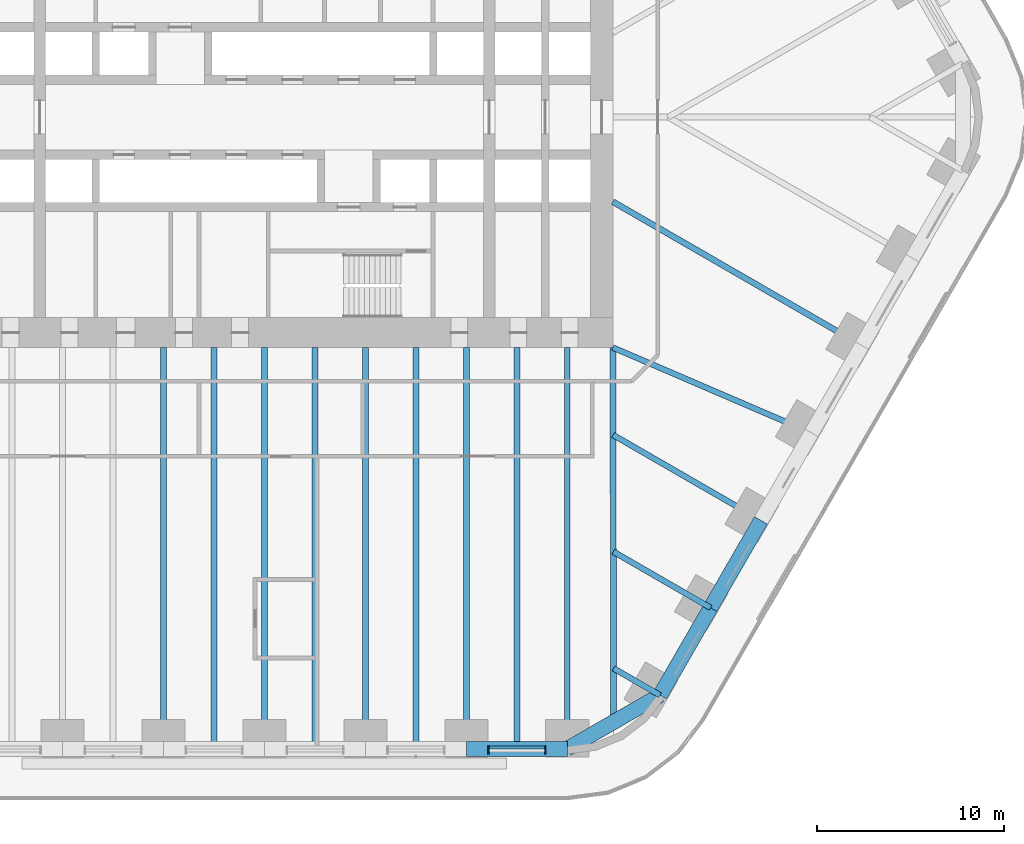
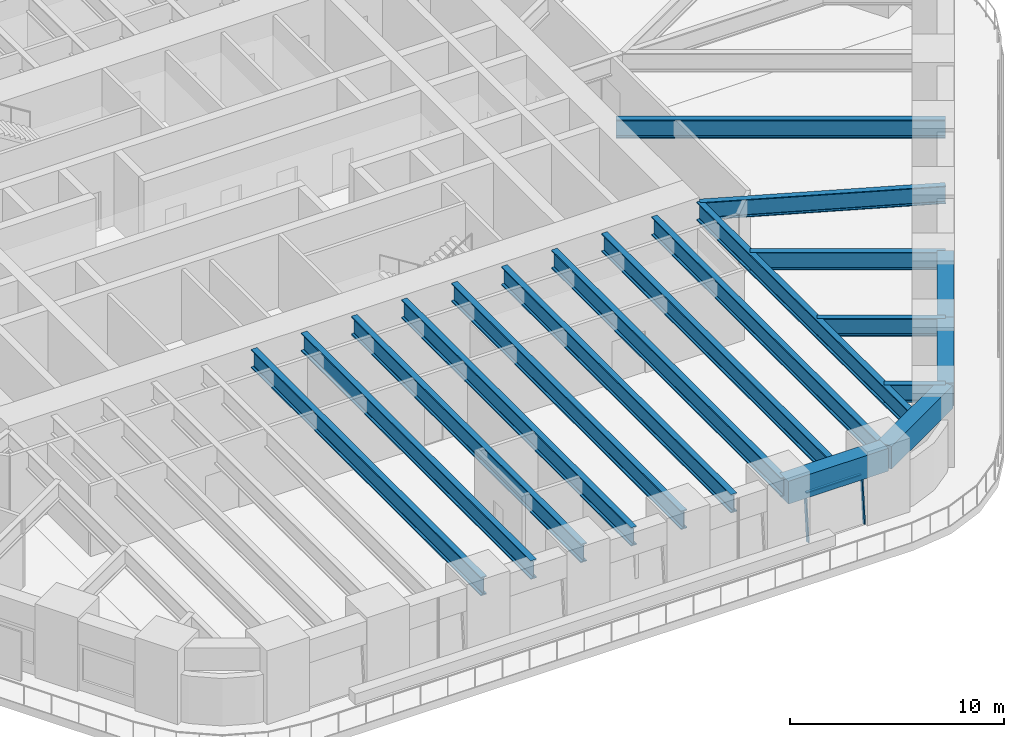
# One storey, part 5 of 23: 19 beams, 3 members, 1 element without a shape of its own.
"""IFC4 building model written with IfcOpenShell, lengths in metres."""

from ifc_helpers import new_model, si_unit, direction, frame, origin, origin_2d, place, context, subcontext, project, spatial, rectangle, i_section, extrude, material, material_profile, profile_set, type_object, element, aggregate, save


model = new_model("IFC4")

# Units and contexts
model_context = context("Model", 3, precision=1e-05, world=origin(), true_north=direction((0.0, 1.0)))
body_context = subcontext(model_context, "Body", "Model", "MODEL_VIEW")
ifc_project = project(units=[si_unit("LENGTHUNIT", "METRE"), si_unit("AREAUNIT", "SQUARE_METRE"), si_unit("VOLUMEUNIT", "CUBIC_METRE"), si_unit("PLANEANGLEUNIT", "RADIAN"), si_unit("MASSUNIT", "GRAM", prefix="KILO")], contexts=[model_context])

# Site, building, storey
site_placement = place(None, origin())
site = spatial("IfcSite", under=ifc_project, at=site_placement, CompositionType="ELEMENT")
building_placement = place(site_placement, origin())
building = spatial("IfcBuilding", under=site, at=building_placement, Name="Tarfa Lantern Tower", CompositionType="ELEMENT")
storey_placement = place(building_placement, frame((0.0, 0.0, 27.699951171875)))
storey = spatial("IfcBuildingStorey", under=building, at=storey_placement, Name="L05", CompositionType="ELEMENT", Elevation=27.699951171875)

# Curtain wall, members
ifc_material_1 = material(Name="Aluminium framed curtain wall", Category="aluminium")
curtain_wall_type = type_object("IfcCurtainWallType", Name="CW1 CANTED GLAZING LOW ZONE 2700", PredefinedType="USERDEFINED", material=ifc_material_1)
curtain_wall_placement = place(storey_placement, origin())
curtain_wall = element("IfcCurtainWall", 1, at=curtain_wall_placement, inside=storey, type_object=curtain_wall_type, Name="CW1 S L05", ObjectType="CURTAIN WALL", PredefinedType="USERDEFINED")
ifc_material_2 = material(Name="Aluminium mullion", Category="aluminium")
ifc_material_profile_1 = material_profile(ifc_material_2, rectangle(XDim=0.06494140625, YDim=0.199951171875, at=origin_2d()), Name="AL MULLION 65x200")
ifc_profile_set_1 = profile_set([ifc_material_profile_1], Name="Aluminium mullion")
member_type_1 = type_object("IfcMemberType", Name="CWM1 MULLION 65x200", PredefinedType="MULLION", material=ifc_profile_set_1)
member_1_placement = place(storey_placement, frame((11.959716796875, -33.89990234375, 0.0), z_axis=(0.0, 0.092199863775, 0.995740520979), x_axis=(-1.0, 0.0, 0.0)))
member_1 = element("IfcMember", 2, at=member_1_placement, type_object=member_type_1, Name="CW1 mullion 1", PredefinedType="MULLION", context=body_context, shape_type="SweptSolid", body=[
    extrude(rectangle(XDim=0.06494140625, YDim=0.199951171875, at=origin_2d()), origin(), (0.0, 0.0, 1.0), 2.71142578125),
])
member_2_placement = place(storey_placement, frame((14.9833984375, -33.89990234375, 0.0), z_axis=(0.0, 0.092199863775, 0.995740520979), x_axis=(-1.0, 0.0, 0.0)))
member_2 = element("IfcMember", 3, at=member_2_placement, type_object=member_type_1, Name="CW1 mullion 2", PredefinedType="MULLION", context=body_context, shape_type="SweptSolid", body=[
    extrude(rectangle(XDim=0.06494140625, YDim=0.199951171875, at=origin_2d()), origin(), (0.0, 0.0, 1.0), 2.71142578125),
])
ifc_material_3 = material(Name="Aluminium transom", Category="aluminium")
ifc_material_profile_2 = material_profile(ifc_material_3, rectangle(XDim=0.14990234375, YDim=0.06494140625, at=origin_2d()), Name="AL TRANSOM 150x65")
ifc_profile_set_2 = profile_set([ifc_material_profile_2], Name="Aluminium transom")
member_type_2 = type_object("IfcMemberType", Name="CWT1 TRANSOM 150x65", PredefinedType="USERDEFINED", material=ifc_profile_set_2)
member_3_placement = place(storey_placement, frame((11.9921875, -33.653076171875, 2.66748046875), z_axis=(1.0, 0.0, 0.0), x_axis=(0.0, 1.0, 0.0)))
member_3 = element("IfcMember", 4, at=member_3_placement, type_object=member_type_2, Name="CW1 transom 1.2", ObjectType="TRANSOM", PredefinedType="USERDEFINED", context=body_context, shape_type="SweptSolid", body=[
    extrude(rectangle(XDim=0.14990234375, YDim=0.06494140625, at=origin_2d()), origin(), (0.0, 0.0, 1.0), 2.958740234375),
])
aggregate(curtain_wall, [member_1, member_2, member_3])

# Beams
ifc_material_4 = material(Name="Concrete C80/95", Category="concrete")
ifc_material_profile_3 = material_profile(ifc_material_4, rectangle(XDim=0.800048828125, YDim=1.300048828125, at=origin_2d()), Name="RC 800x1300")
ifc_profile_set_3 = profile_set([ifc_material_profile_3], Name="Concrete C80/95")
beam_type_1 = type_object("IfcBeamType", Name="EB1 RC 800x1300", PredefinedType="SPANDREL", material=ifc_profile_set_3)
beam_1_placement = place(storey_placement, frame((10.777099609375, -33.719970703125, 3.35009765625), z_axis=(1.0, 0.0, 0.0), x_axis=(0.0, 1.0, 0.0)))
element("IfcBeam", 5, at=beam_1_placement, inside=storey, type_object=beam_type_1, Name="Edge beam S5", PredefinedType="SPANDREL", context=body_context, shape_type="SweptSolid", body=[
    extrude(rectangle(XDim=0.800048828125, YDim=1.300048828125, at=origin_2d()), origin(), (0.0, 0.0, 1.0), 5.388671875),
])
beam_2_placement = place(storey_placement, frame((16.165771484375, -33.719970703125, 3.35009765625), z_axis=(0.866033479681, 0.499986011877, 0.0), x_axis=(-0.499986011877, 0.866033479681, 0.0)))
element("IfcBeam", 6, at=beam_2_placement, inside=storey, type_object=beam_type_1, Name="Edge beam S6", PredefinedType="SPANDREL", context=body_context, shape_type="SweptSolid", body=[
    extrude(rectangle(XDim=0.800048828125, YDim=1.300048828125, at=origin_2d()), origin(), (0.0, 0.0, 1.0), 5.719970703125),
])
for number, where, z_axis, x_axis, name in (
    (7, (21.119384765625, -30.860107421875, 3.35009765625), (0.499998287579, 0.866026392449, 0.0), (-0.866026392449, 0.499998287579, 0.0), "Edge beam SE0"),
    (8, (23.813720703125, -26.193359375, 3.35009765625), (0.499998287579, 0.866026392449, 0.0), (-0.866026392449, 0.499998287579, 0.0), "Edge beam SE1"),
):
    element("IfcBeam", number, at=place(storey_placement, frame(where, z_axis=z_axis, x_axis=x_axis)), inside=storey, type_object=beam_type_1, Name=name, PredefinedType="SPANDREL", context=body_context, shape_type="SweptSolid", body=[
        extrude(rectangle(XDim=0.800048828125, YDim=1.300048828125, at=origin_2d()), origin(), (0.0, 0.0, 1.0), 5.388671875),
    ])
ifc_material_5 = material(Name="Steel S460M", Category="steel")
ifc_material_profile_4 = material_profile(ifc_material_5, i_section(OverallWidth=0.302001953125, OverallDepth=1.008056640625, WebThickness=0.02099609375, FlangeThickness=0.0400390625, FilletRadius=0.030029296875, at=origin_2d()), Name="UB1016x305x349")
ifc_profile_set_4 = profile_set([ifc_material_profile_4], Name="Steel S460M")
beam_type_2 = type_object("IfcBeamType", Name="UB1016x305x349", PredefinedType="BEAM", material=ifc_profile_set_4)
beam_3_placement = place(storey_placement, frame((21.119384765625, -30.860107421875, 3.49609375), z_axis=(-0.866012580594, 0.500022209759, 0.0), x_axis=(-0.500022209759, -0.866012580594, 0.0)))
element("IfcBeam", 9, at=beam_3_placement, inside=storey, type_object=beam_type_2, Name="Floor beam SE0", PredefinedType="BEAM", context=body_context, shape_type="SweptSolid", body=[
    extrude(i_section(OverallWidth=0.302001953125, OverallDepth=1.008056640625, WebThickness=0.02099609375, FlangeThickness=0.0400390625, FilletRadius=0.030029296875, at=origin_2d()), origin(), (0.0, 0.0, 1.0), 2.866943359375),
])
beam_4_placement = place(storey_placement, frame((23.813720703125, -26.193359375, 3.49609375), z_axis=(-0.866015997389, 0.500016292001, 0.0), x_axis=(-0.500016292001, -0.866015997389, 0.0)))
element("IfcBeam", 10, at=beam_4_placement, inside=storey, type_object=beam_type_2, Name="Floor beam SE1", PredefinedType="BEAM", context=body_context, shape_type="SweptSolid", body=[
    extrude(i_section(OverallWidth=0.302001953125, OverallDepth=1.008056640625, WebThickness=0.02099609375, FlangeThickness=0.0400390625, FilletRadius=0.030029296875, at=origin_2d()), origin(), (0.0, 0.0, 1.0), 5.993408203125),
])
beam_5_placement = place(storey_placement, frame((26.508056640625, -21.526611328125, 3.49609375), z_axis=(-0.866035355799, 0.49998276221, 0.0), x_axis=(-0.49998276221, -0.866035355799, 0.0)))
element("IfcBeam", 11, at=beam_5_placement, inside=storey, type_object=beam_type_2, Name="Floor beam SE2", PredefinedType="BEAM", context=body_context, shape_type="SweptSolid", body=[
    extrude(i_section(OverallWidth=0.302001953125, OverallDepth=1.008056640625, WebThickness=0.02099609375, FlangeThickness=0.0400390625, FilletRadius=0.030029296875, at=origin_2d()), origin(), (0.0, 0.0, 1.0), 9.119873046875),
])
beam_6_placement = place(storey_placement, frame((29.202392578125, -16.860107421875, 3.49609375), z_axis=(-0.918635483867, 0.395106122175, 0.0), x_axis=(-0.395106122175, -0.918635483867, 0.0)))
element("IfcBeam", 12, at=beam_6_placement, inside=storey, type_object=beam_type_2, Name="Floor beam SE3", PredefinedType="BEAM", context=body_context, shape_type="SweptSolid", body=[
    extrude(i_section(OverallWidth=0.302001953125, OverallDepth=1.008056640625, WebThickness=0.02099609375, FlangeThickness=0.0400390625, FilletRadius=0.030029296875, at=origin_2d()), origin(), (0.0, 0.0, 1.0), 11.541259765625),
])
ifc_material_profile_5 = material_profile(ifc_material_5, i_section(OverallWidth=0.314208984375, OverallDepth=1.055908203125, WebThickness=0.035888671875, FlangeThickness=0.06396484375, FilletRadius=0.030029296875, at=origin_2d()), Name="UB1016x305x584")
ifc_profile_set_5 = profile_set([ifc_material_profile_5], Name="Steel S460M")
beam_type_3 = type_object("IfcBeamType", Name="UB1016x305x584", PredefinedType="BEAM", material=ifc_profile_set_5)
beam_7_placement = place(storey_placement, frame((18.60009765625, -12.300048828125, 3.47216796875), z_axis=(0.00212508222, -0.99999774201, 0.0), x_axis=(0.99999774201, 0.00212508222, 0.0)))
element("IfcBeam", 13, at=beam_7_placement, inside=storey, type_object=beam_type_3, Name="Hip girder SE", PredefinedType="BEAM", context=body_context, shape_type="SweptSolid", body=[
    extrude(i_section(OverallWidth=0.314208984375, OverallDepth=1.055908203125, WebThickness=0.035888671875, FlangeThickness=0.06396484375, FilletRadius=0.030029296875, at=origin_2d()), origin(), (0.0, 0.0, 1.0), 19.989990234375),
])
for number, where, z_axis, x_axis, name in (
    (14, (-5.388671875, -33.719970703125, 3.47216796875), (0.0, 1.0, 0.0), (-1.0, 0.0, 0.0), "Floor beam S2"),
    (15, (0.0, -33.719970703125, 3.47216796875), (0.0, 1.0, 0.0), (-1.0, 0.0, 0.0), "Floor beam S3"),
    (16, (5.388671875, -33.719970703125, 3.47216796875), (0.0, 1.0, 0.0), (-1.0, 0.0, 0.0), "Floor beam S4"),
    (17, (10.777099609375, -33.719970703125, 3.47216796875), (0.0, 1.0, 0.0), (-1.0, 0.0, 0.0), "Floor beam S5"),
    (18, (16.165771484375, -33.719970703125, 3.47216796875), (0.0, 1.0, 0.0), (-1.0, 0.0, 0.0), "Floor beam S6"),
):
    element("IfcBeam", number, at=place(storey_placement, frame(where, z_axis=z_axis, x_axis=x_axis)), inside=storey, type_object=beam_type_3, Name=name, PredefinedType="BEAM", context=body_context, shape_type="SweptSolid", body=[
        extrude(i_section(OverallWidth=0.314208984375, OverallDepth=1.055908203125, WebThickness=0.035888671875, FlangeThickness=0.06396484375, FilletRadius=0.030029296875, at=origin_2d()), origin(), (0.0, 0.0, 1.0), 21.419921875),
    ])
beam_8_placement = place(storey_placement, frame((31.896728515625, -12.193359375, 3.47216796875), z_axis=(-0.866026971665, 0.499997284341, 0.0), x_axis=(-0.499997284341, -0.866026971665, 0.0)))
element("IfcBeam", 19, at=beam_8_placement, inside=storey, type_object=beam_type_3, Name="Floor beam SE4", PredefinedType="BEAM", context=body_context, shape_type="SweptSolid", body=[
    extrude(i_section(OverallWidth=0.314208984375, OverallDepth=1.055908203125, WebThickness=0.035888671875, FlangeThickness=0.06396484375, FilletRadius=0.030029296875, at=origin_2d()), origin(), (0.0, 0.0, 1.0), 15.353515625),
])
for number, where, z_axis, x_axis, name in (
    (20, (-2.6943359375, -33.719970703125, 3.47216796875), (0.0, 1.0, 0.0), (-1.0, 0.0, 0.0), "Floor beam S2M"),
    (21, (2.6943359375, -33.719970703125, 3.47216796875), (0.0, 1.0, 0.0), (-1.0, 0.0, 0.0), "Floor beam S3M"),
    (22, (8.0830078125, -33.719970703125, 3.47216796875), (0.0, 1.0, 0.0), (-1.0, 0.0, 0.0), "Floor beam S4M"),
    (23, (13.471435546875, -33.719970703125, 3.47216796875), (0.0, 1.0, 0.0), (-1.0, 0.0, 0.0), "Floor beam S5M"),
):
    element("IfcBeam", number, at=place(storey_placement, frame(where, z_axis=z_axis, x_axis=x_axis)), inside=storey, type_object=beam_type_3, Name=name, PredefinedType="BEAM", context=body_context, shape_type="SweptSolid", body=[
        extrude(i_section(OverallWidth=0.314208984375, OverallDepth=1.055908203125, WebThickness=0.035888671875, FlangeThickness=0.06396484375, FilletRadius=0.030029296875, at=origin_2d()), origin(), (0.0, 0.0, 1.0), 21.419921875),
    ])

save(model, "model.ifc")
